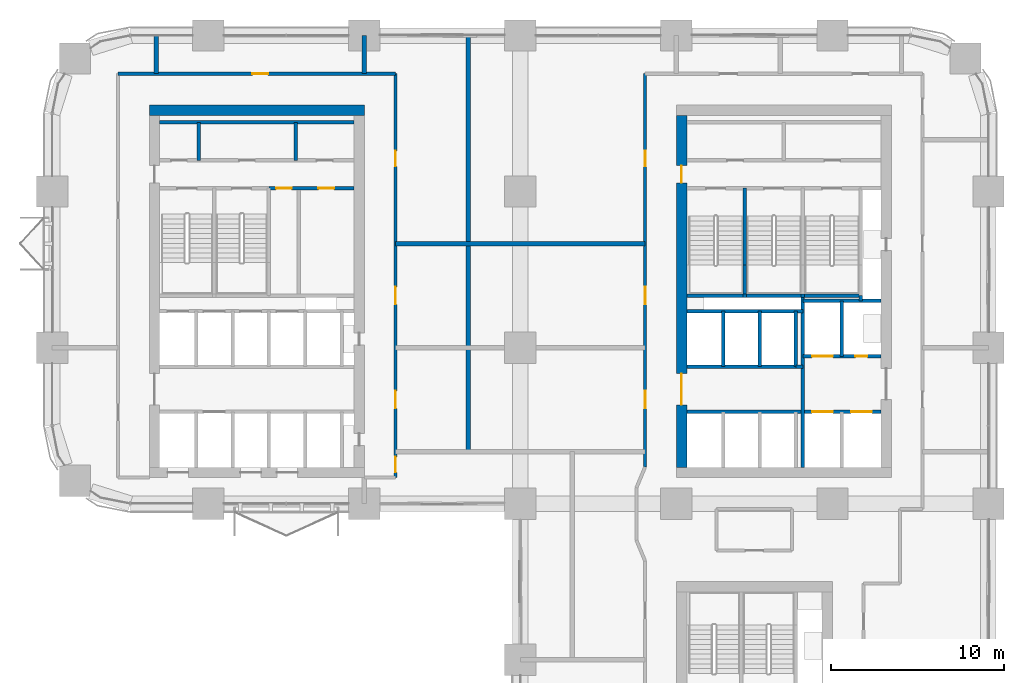
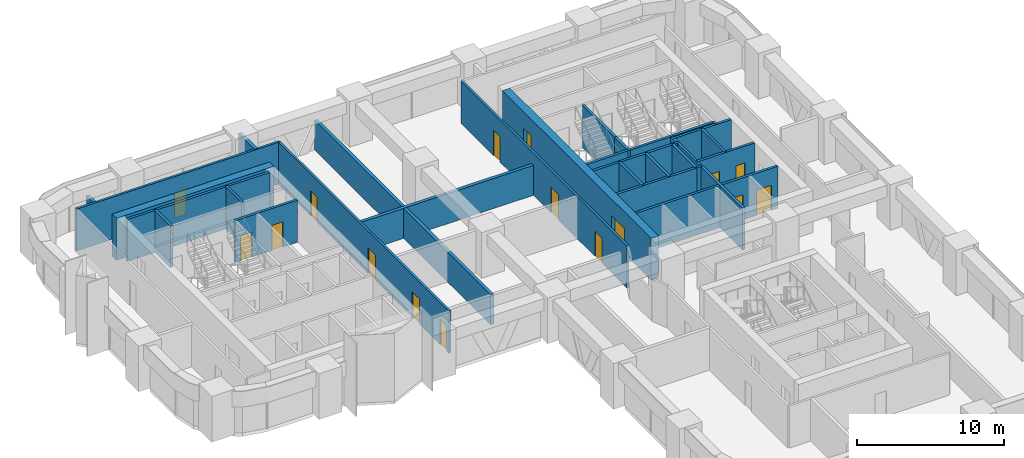
# One storey, part 14 of 18: 32 walls, 16 doors, 16 openings.
"""IFC4 building model written with IfcOpenShell, lengths in metres."""

from ifc_helpers import new_model, si_unit, direction, frame, frame_2d, origin, place, context, subcontext, project, spatial, rectangle, extrude, material, layer, layer_set, type_object, element, fill, save


model = new_model("IFC4")

# Units and contexts
model_context = context("Model", 3, precision=1e-05, world=origin(), true_north=direction((0.0, 1.0)))
body_context = subcontext(model_context, "Body", "Model", "MODEL_VIEW")
ifc_project = project(units=[si_unit("LENGTHUNIT", "METRE"), si_unit("AREAUNIT", "SQUARE_METRE"), si_unit("VOLUMEUNIT", "CUBIC_METRE"), si_unit("PLANEANGLEUNIT", "RADIAN"), si_unit("MASSUNIT", "GRAM", prefix="KILO")], contexts=[model_context])

# Site, building, storey
site_placement = place(None, origin())
site = spatial("IfcSite", under=ifc_project, at=site_placement, CompositionType="ELEMENT")
building_placement = place(site_placement, origin())
building = spatial("IfcBuilding", under=site, at=building_placement, Name="Tessera Arch", CompositionType="ELEMENT")
storey_placement = place(building_placement, frame((0.0, 0.0, 115.800048828125)))
storey = spatial("IfcBuildingStorey", under=building, at=storey_placement, Name="L27", CompositionType="ELEMENT", Elevation=115.800048828125)

# Walls
ifc_material_1 = material(Name="Gypsum board on steel stud", Category="steel")
ifc_layer_1 = layer(ifc_material_1, 0.125)
ifc_layer_set_1 = layer_set([ifc_layer_1], Name="Core partition 125 EI 60")
wall_type_1 = type_object("IfcWallType", Name="Core partition 125 EI 60", PredefinedType="PARTITIONING", material=ifc_layer_set_1)
wall_1_placement = place(storey_placement, frame((42.89990234375, 34.89990234375, 0.0), z_axis=(0.0, 0.0, 1.0), x_axis=(1.0, 0.0, 0.0)))
element("IfcWall", 1, at=wall_1_placement, inside=storey, type_object=wall_type_1, Name="L27 C1 partition wall 19", PredefinedType="PARTITIONING", context=body_context, shape_type="SweptSolid", body=[
    extrude(rectangle(XDim=0.400146484375, YDim=0.199951171875, at=frame_2d((0.2001953125, 0.0))), origin(), (0.0, 0.0, 1.0), 3.5),
])
for number, where, z_axis, x_axis, name in (
    (2, (8.43994140625, 46.800048828125, 0.0), (0.0, 0.0, 1.0), (0.0, 1.0, 0.0), "L27 C2 partition wall 3"),
    (3, (14.0400390625, 46.800048828125, 0.0), (0.0, 0.0, 1.0), (0.0, 1.0, 0.0), "L27 C2 partition wall 12"),
):
    element("IfcWall", number, at=place(storey_placement, frame(where, z_axis=z_axis, x_axis=x_axis)), inside=storey, type_object=wall_type_1, Name=name, PredefinedType="PARTITIONING", context=body_context, shape_type="SweptSolid", body=[
        extrude(rectangle(XDim=2.199951171875, YDim=0.199951171875, at=frame_2d((1.10009765625, 0.0))), origin(), (0.0, 0.0, 1.0), 3.5),
    ])

# Wall, openings, doors
wall_2_placement = place(storey_placement, frame((12.5, 45.199951171875, 0.0), z_axis=(0.0, 0.0, 1.0), x_axis=(1.0, 0.0, 0.0)))
wall_2 = element("IfcWall", 4, at=wall_2_placement, inside=storey, type_object=wall_type_1, Name="L27 C2 partition wall 25", PredefinedType="PARTITIONING", context=body_context, shape_type="SweptSolid", body=[
    extrude(rectangle(XDim=4.89990234375, YDim=0.199951171875, at=frame_2d((2.449951171875, 0.0))), origin(), (0.0, 0.0, 1.0), 3.5),
])
opening_1_placement = place(wall_2_placement, frame((0.407470703125, 0.0, 0.0)))
opening_1 = element("IfcOpeningElement", 5, at=opening_1_placement, cuts=wall_2, Name="Opening L27-C31", PredefinedType="OPENING", context=body_context, shape_type="SweptSolid", body=[
    extrude(rectangle(XDim=0.89990234375, YDim=2.10009765625, at=frame_2d((0.449951171875, 1.050048828125))), frame((0.0, 0.10986328125, 0.0), z_axis=(0.0, -1.0, 0.0), x_axis=(1.0, 0.0, 0.0)), (0.0, 0.0, 1.0), 0.219970703125),
])
opening_2_placement = place(wall_2_placement, frame((2.857421875, 0.0, 0.0)))
opening_2 = element("IfcOpeningElement", 6, at=opening_2_placement, cuts=wall_2, Name="Opening L27-C32", PredefinedType="OPENING", context=body_context, shape_type="SweptSolid", body=[
    extrude(rectangle(XDim=0.89990234375, YDim=2.10009765625, at=frame_2d((0.449951171875, 1.050048828125))), frame((0.0, 0.10986328125, 0.0), z_axis=(0.0, -1.0, 0.0), x_axis=(1.0, 0.0, 0.0)), (0.0, 0.0, 1.0), 0.219970703125),
])
ifc_material_2 = material(Name="Steel door leaf", Category="steel")
door_type_1 = type_object("IfcDoorType", Name="Store door FD30S 900 x 2100", OperationType="SINGLE_SWING_LEFT", PredefinedType="DOOR", material=ifc_material_2)
door_1_placement = place(opening_1_placement, origin())
door_1 = element("IfcDoor", 7, at=door_1_placement, inside=storey, type_object=door_type_1, Name="L27 C2 door 18 C31 type D09", OperationType="SINGLE_SWING_LEFT", OverallHeight=2.10009765625, OverallWidth=0.89990234375, PredefinedType="DOOR", context=body_context, shape_type="SweptSolid", body=[
    extrude(rectangle(XDim=0.89990234375, YDim=2.10009765625, at=frame_2d((0.449951171875, 1.050048828125))), frame((0.0, 0.02490234375, 0.0), z_axis=(0.0, -1.0, 0.0), x_axis=(1.0, 0.0, 0.0)), (0.0, 0.0, 1.0), 0.050048828125),
])
fill(opening_1, door_1)
door_2_placement = place(opening_2_placement, origin())
door_2 = element("IfcDoor", 8, at=door_2_placement, inside=storey, type_object=door_type_1, Name="L27 C2 door 19 C32 type D09", OperationType="SINGLE_SWING_RIGHT", OverallHeight=2.10009765625, OverallWidth=0.89990234375, PredefinedType="DOOR", context=body_context, shape_type="SweptSolid", body=[
    extrude(rectangle(XDim=0.89990234375, YDim=2.10009765625, at=frame_2d((0.449951171875, 1.050048828125))), frame((0.0, 0.02490234375, 0.0), z_axis=(0.0, -1.0, 0.0), x_axis=(1.0, 0.0, 0.0)), (0.0, 0.0, 1.0), 0.050048828125),
])
fill(opening_2, door_2)

# Wall
wall_3_placement = place(storey_placement, frame((6.199951171875, 49.0, 0.0), z_axis=(0.0, 0.0, 1.0), x_axis=(1.0, 0.0, 0.0)))
element("IfcWall", 9, at=wall_3_placement, inside=storey, type_object=wall_type_1, Name="L27 C2 partition wall 28", PredefinedType="PARTITIONING", context=body_context, shape_type="SweptSolid", body=[
    extrude(rectangle(XDim=11.199951171875, YDim=0.199951171875, at=frame_2d((5.60009765625, 0.0))), origin(), (0.0, 0.0, 1.0), 3.5),
])

# Wall, openings, doors
ifc_material_3 = material(Name="Concrete C70/85", Category="concrete")
ifc_layer_2 = layer(ifc_material_3, 0.60009765625)
ifc_layer_set_2 = layer_set([ifc_layer_2], Name="Core shell wall 600 C70-85")
wall_type_2 = type_object("IfcWallType", Name="Core shell wall 600 C70-85", PredefinedType="SHEAR", material=ifc_layer_set_2)
wall_4_placement = place(storey_placement, frame((36.300048828125, 29.10009765625, 0.0), z_axis=(0.0, 0.0, 1.0), x_axis=(0.0, 1.0, 0.0)))
wall_4 = element("IfcWall", 10, at=wall_4_placement, inside=storey, type_object=wall_type_2, Name="L27 C1 core wall W", PredefinedType="SHEAR", context=body_context, shape_type="SweptSolid", body=[
    extrude(rectangle(XDim=20.2998046875, YDim=0.60009765625, at=frame_2d((10.14990234375, 0.0))), origin(), (0.0, 0.0, 1.0), 3.5),
])
opening_3_placement = place(wall_4_placement, frame((3.60009765625, 0.0, 0.0)))
opening_3 = element("IfcOpeningElement", 11, at=opening_3_placement, cuts=wall_4, Name="Opening L27-C04", PredefinedType="OPENING", context=body_context, shape_type="SweptSolid", body=[
    extrude(rectangle(XDim=1.800048828125, YDim=2.10009765625, at=frame_2d((0.89990234375, 1.050048828125))), frame((0.0, 0.31005859375, 0.0), z_axis=(0.0, -1.0, 0.0), x_axis=(1.0, 0.0, 0.0)), (0.0, 0.0, 1.0), 0.6201171875),
])
opening_4_placement = place(wall_4_placement, frame((16.39990234375, 0.0, 0.0)))
opening_4 = element("IfcOpeningElement", 12, at=opening_4_placement, cuts=wall_4, Name="Opening L27-C11", PredefinedType="OPENING", context=body_context, shape_type="SweptSolid", body=[
    extrude(rectangle(XDim=1.0, YDim=2.10009765625, at=frame_2d((0.5, 1.050048828125))), frame((0.0, 0.31005859375, 0.0), z_axis=(0.0, -1.0, 0.0), x_axis=(1.0, 0.0, 0.0)), (0.0, 0.0, 1.0), 0.6201171875),
])
ifc_material_4 = material(Name="Steel door leaf", Category="steel")
door_type_2 = type_object("IfcDoorType", Name="Corridor door FD60 1000 x 2100", OperationType="SINGLE_SWING_LEFT", PredefinedType="DOOR", material=ifc_material_4)
door_3_placement = place(opening_4_placement, origin())
door_3 = element("IfcDoor", 13, at=door_3_placement, inside=storey, type_object=door_type_2, Name="L27 C1 door 11 C11 type D12", OperationType="SINGLE_SWING_RIGHT", OverallHeight=2.10009765625, OverallWidth=1.0, PredefinedType="DOOR", context=body_context, shape_type="SweptSolid", body=[
    extrude(rectangle(XDim=1.0, YDim=2.10009765625, at=frame_2d((0.5, 1.050048828125))), frame((0.0, 0.02490234375, 0.0), z_axis=(0.0, -1.0, 0.0), x_axis=(1.0, 0.0, 0.0)), (0.0, 0.0, 1.0), 0.050048828125),
])
fill(opening_4, door_3)
ifc_material_5 = material(Name="Glazed steel door leaf", Category="steel")
door_type_3 = type_object("IfcDoorType", Name="Lobby double door FD30S 1800 x 2100", OperationType="DOUBLE_DOOR_SINGLE_SWING", PredefinedType="DOOR", material=ifc_material_5)
door_4_placement = place(opening_3_placement, origin())
door_4 = element("IfcDoor", 14, at=door_4_placement, inside=storey, type_object=door_type_3, Name="L27 C1 door 4 C04 type D06", OperationType="DOUBLE_DOOR_SINGLE_SWING", OverallHeight=2.10009765625, OverallWidth=1.800048828125, PredefinedType="DOOR", context=body_context, shape_type="SweptSolid", body=[
    extrude(rectangle(XDim=1.800048828125, YDim=2.10009765625, at=frame_2d((0.89990234375, 1.050048828125))), frame((0.0, 0.02490234375, 0.0), z_axis=(0.0, -1.0, 0.0), x_axis=(1.0, 0.0, 0.0)), (0.0, 0.0, 1.0), 0.050048828125),
])
fill(opening_3, door_4)

# Wall
wall_5_placement = place(storey_placement, frame((5.60009765625, 49.699951171875, 0.0), z_axis=(0.0, 0.0, 1.0), x_axis=(1.0, 0.0, 0.0)))
element("IfcWall", 15, at=wall_5_placement, inside=storey, type_object=wall_type_2, Name="L27 C2 core wall N", PredefinedType="SHEAR", context=body_context, shape_type="SweptSolid", body=[
    extrude(rectangle(XDim=12.39990234375, YDim=0.60009765625, at=frame_2d((6.199951171875, 0.0))), origin(), (0.0, 0.0, 1.0), 3.5),
])

# Wall, opening, door
ifc_material_6 = material(Name="Gypsum board on deep steel stud with mineral wool", Category="steel")
ifc_layer_3 = layer(ifc_material_6, 0.175048828125)
ifc_layer_set_3 = layer_set([ifc_layer_3], Name="Corridor wall 175 EI 60")
wall_type_3 = type_object("IfcWallType", Name="Corridor wall 175 EI 60", PredefinedType="PARTITIONING", material=ifc_layer_set_3)
wall_6_placement = place(storey_placement, frame((3.800048828125, 51.800048828125, 0.0), z_axis=(0.0, 0.0, 1.0), x_axis=(1.0, 0.0, 0.0)))
wall_6 = element("IfcWall", 16, at=wall_6_placement, inside=storey, type_object=wall_type_3, Name="L27 partition 8", PredefinedType="PARTITIONING", context=body_context, shape_type="SweptSolid", body=[
    extrude(rectangle(XDim=16.0, YDim=0.175048828125, at=frame_2d((8.0, 0.0))), origin(), (0.0, 0.0, 1.0), 3.5),
])
opening_5_placement = place(wall_6_placement, frame((7.75, 0.0, 0.0)))
opening_5 = element("IfcOpeningElement", 17, at=opening_5_placement, cuts=wall_6, Name="Opening L27-D019", PredefinedType="OPENING", context=body_context, shape_type="SweptSolid", body=[
    extrude(rectangle(XDim=0.89990234375, YDim=2.10009765625, at=frame_2d((0.449951171875, 1.050048828125))), frame((0.0, 0.097412109375, 0.0), z_axis=(0.0, -1.0, 0.0), x_axis=(1.0, 0.0, 0.0)), (0.0, 0.0, 1.0), 0.195068359375),
])
ifc_material_7 = material(Name="Timber door leaf", Category="wood")
door_type_4 = type_object("IfcDoorType", Name="Room door 900 x 2100", OperationType="SINGLE_SWING_LEFT", PredefinedType="DOOR", material=ifc_material_7)
door_5_placement = place(opening_5_placement, origin())
door_5 = element("IfcDoor", 18, at=door_5_placement, inside=storey, type_object=door_type_4, Name="L27 door D019 type D01", OperationType="SINGLE_SWING_LEFT", OverallHeight=2.10009765625, OverallWidth=0.89990234375, PredefinedType="DOOR", context=body_context, shape_type="SweptSolid", body=[
    extrude(rectangle(XDim=0.89990234375, YDim=2.10009765625, at=frame_2d((0.449951171875, 1.050048828125))), frame((0.0, 0.02490234375, 0.0), z_axis=(0.0, -1.0, 0.0), x_axis=(1.0, 0.0, 0.0)), (0.0, 0.0, 1.0), 0.050048828125),
])
fill(opening_5, door_5)

# Wall, openings, doors
wall_7_placement = place(storey_placement, frame((19.800048828125, 28.5, 0.0), z_axis=(0.0, 0.0, 1.0), x_axis=(0.0, 1.0, 0.0)))
wall_7 = element("IfcWall", 19, at=wall_7_placement, inside=storey, type_object=wall_type_3, Name="L27 partition 11", PredefinedType="PARTITIONING", context=body_context, shape_type="SweptSolid", body=[
    extrude(rectangle(XDim=23.300048828125, YDim=0.175048828125, at=frame_2d((11.64990234375, 0.0))), origin(), (0.0, 0.0, 1.0), 3.5),
])
opening_6_placement = place(wall_7_placement, frame((0.300048828125, 0.0, 0.0)))
opening_6 = element("IfcOpeningElement", 20, at=opening_6_placement, cuts=wall_7, Name="Opening L27-D007", PredefinedType="OPENING", context=body_context, shape_type="SweptSolid", body=[
    extrude(rectangle(XDim=0.89990234375, YDim=2.10009765625, at=frame_2d((0.449951171875, 1.050048828125))), frame((0.0, 0.097412109375, 0.0), z_axis=(0.0, -1.0, 0.0), x_axis=(1.0, 0.0, 0.0)), (0.0, 0.0, 1.0), 0.195068359375),
])
opening_7_placement = place(wall_7_placement, frame((4.0, 0.0, 0.0)))
opening_7 = element("IfcOpeningElement", 21, at=opening_7_placement, cuts=wall_7, Name="Opening L27-D009", PredefinedType="OPENING", context=body_context, shape_type="SweptSolid", body=[
    extrude(rectangle(XDim=1.0, YDim=2.10009765625, at=frame_2d((0.5, 1.050048828125))), frame((0.0, 0.097412109375, 0.0), z_axis=(0.0, -1.0, 0.0), x_axis=(1.0, 0.0, 0.0)), (0.0, 0.0, 1.0), 0.195068359375),
])
opening_8_placement = place(wall_7_placement, frame((10.0, 0.0, 0.0)))
opening_8 = element("IfcOpeningElement", 22, at=opening_8_placement, cuts=wall_7, Name="Opening L27-D012", PredefinedType="OPENING", context=body_context, shape_type="SweptSolid", body=[
    extrude(rectangle(XDim=1.0, YDim=2.10009765625, at=frame_2d((0.5, 1.050048828125))), frame((0.0, 0.097412109375, 0.0), z_axis=(0.0, -1.0, 0.0), x_axis=(1.0, 0.0, 0.0)), (0.0, 0.0, 1.0), 0.195068359375),
])
opening_9_placement = place(wall_7_placement, frame((17.949951171875, 0.0, 0.0)))
opening_9 = element("IfcOpeningElement", 23, at=opening_9_placement, cuts=wall_7, Name="Opening L27-D017", PredefinedType="OPENING", context=body_context, shape_type="SweptSolid", body=[
    extrude(rectangle(XDim=0.89990234375, YDim=2.10009765625, at=frame_2d((0.449951171875, 1.050048828125))), frame((0.0, 0.097412109375, 0.0), z_axis=(0.0, -1.0, 0.0), x_axis=(1.0, 0.0, 0.0)), (0.0, 0.0, 1.0), 0.195068359375),
])
ifc_material_8 = material(Name="Fire-rated door leaf")
door_type_5 = type_object("IfcDoorType", Name="Entrance door FD30S 1000 x 2100", OperationType="SINGLE_SWING_LEFT", PredefinedType="DOOR", material=ifc_material_8)
door_6_placement = place(opening_7_placement, origin())
door_6 = element("IfcDoor", 24, at=door_6_placement, inside=storey, type_object=door_type_5, Name="L27 door D009 type D03", OperationType="SINGLE_SWING_RIGHT", OverallHeight=2.10009765625, OverallWidth=1.0, PredefinedType="DOOR", context=body_context, shape_type="SweptSolid", body=[
    extrude(rectangle(XDim=1.0, YDim=2.10009765625, at=frame_2d((0.5, 1.050048828125))), frame((0.0, 0.02490234375, 0.0), z_axis=(0.0, -1.0, 0.0), x_axis=(1.0, 0.0, 0.0)), (0.0, 0.0, 1.0), 0.050048828125),
])
fill(opening_7, door_6)
door_7_placement = place(opening_8_placement, origin())
door_7 = element("IfcDoor", 25, at=door_7_placement, inside=storey, type_object=door_type_5, Name="L27 door D012 type D03", OperationType="SINGLE_SWING_LEFT", OverallHeight=2.10009765625, OverallWidth=1.0, PredefinedType="DOOR", context=body_context, shape_type="SweptSolid", body=[
    extrude(rectangle(XDim=1.0, YDim=2.10009765625, at=frame_2d((0.5, 1.050048828125))), frame((0.0, 0.02490234375, 0.0), z_axis=(0.0, -1.0, 0.0), x_axis=(1.0, 0.0, 0.0)), (0.0, 0.0, 1.0), 0.050048828125),
])
fill(opening_8, door_7)
door_8_placement = place(opening_6_placement, origin())
door_8 = element("IfcDoor", 26, at=door_8_placement, inside=storey, type_object=door_type_4, Name="L27 door D007 type D01", OperationType="SINGLE_SWING_RIGHT", OverallHeight=2.10009765625, OverallWidth=0.89990234375, PredefinedType="DOOR", context=body_context, shape_type="SweptSolid", body=[
    extrude(rectangle(XDim=0.89990234375, YDim=2.10009765625, at=frame_2d((0.449951171875, 1.050048828125))), frame((0.0, 0.02490234375, 0.0), z_axis=(0.0, -1.0, 0.0), x_axis=(1.0, 0.0, 0.0)), (0.0, 0.0, 1.0), 0.050048828125),
])
fill(opening_6, door_8)
door_9_placement = place(opening_9_placement, origin())
door_9 = element("IfcDoor", 27, at=door_9_placement, inside=storey, type_object=door_type_4, Name="L27 door D017 type D01", OperationType="SINGLE_SWING_RIGHT", OverallHeight=2.10009765625, OverallWidth=0.89990234375, PredefinedType="DOOR", context=body_context, shape_type="SweptSolid", body=[
    extrude(rectangle(XDim=0.89990234375, YDim=2.10009765625, at=frame_2d((0.449951171875, 1.050048828125))), frame((0.0, 0.02490234375, 0.0), z_axis=(0.0, -1.0, 0.0), x_axis=(1.0, 0.0, 0.0)), (0.0, 0.0, 1.0), 0.050048828125),
])
fill(opening_9, door_9)

wall_8_placement = place(storey_placement, frame((34.199951171875, 29.1201171875, 0.0), z_axis=(0.0, 0.0, 1.0), x_axis=(0.0, 1.0, 0.0)))
wall_8 = element("IfcWall", 28, at=wall_8_placement, inside=storey, type_object=wall_type_3, Name="L27 partition 14", PredefinedType="PARTITIONING", context=body_context, shape_type="SweptSolid", body=[
    extrude(rectangle(XDim=22.679931640625, YDim=0.175048828125, at=frame_2d((11.33984375, 0.0))), origin(), (0.0, 0.0, 1.0), 3.5),
])
opening_10_placement = place(wall_8_placement, frame((3.3798828125, 0.0, 0.0)))
opening_10 = element("IfcOpeningElement", 29, at=opening_10_placement, cuts=wall_8, Name="Opening L27-D010", PredefinedType="OPENING", context=body_context, shape_type="SweptSolid", body=[
    extrude(rectangle(XDim=1.0, YDim=2.10009765625, at=frame_2d((0.5, 1.050048828125))), frame((0.0, 0.097412109375, 0.0), z_axis=(0.0, -1.0, 0.0), x_axis=(1.0, 0.0, 0.0)), (0.0, 0.0, 1.0), 0.195068359375),
])
opening_11_placement = place(wall_8_placement, frame((9.3798828125, 0.0, 0.0)))
opening_11 = element("IfcOpeningElement", 30, at=opening_11_placement, cuts=wall_8, Name="Opening L27-D013", PredefinedType="OPENING", context=body_context, shape_type="SweptSolid", body=[
    extrude(rectangle(XDim=1.0, YDim=2.10009765625, at=frame_2d((0.5, 1.050048828125))), frame((0.0, 0.097412109375, 0.0), z_axis=(0.0, -1.0, 0.0), x_axis=(1.0, 0.0, 0.0)), (0.0, 0.0, 1.0), 0.195068359375),
])
opening_12_placement = place(wall_8_placement, frame((17.330078125, 0.0, 0.0)))
opening_12 = element("IfcOpeningElement", 31, at=opening_12_placement, cuts=wall_8, Name="Opening L27-D016", PredefinedType="OPENING", context=body_context, shape_type="SweptSolid", body=[
    extrude(rectangle(XDim=0.89990234375, YDim=2.10009765625, at=frame_2d((0.449951171875, 1.050048828125))), frame((0.0, 0.097412109375, 0.0), z_axis=(0.0, -1.0, 0.0), x_axis=(1.0, 0.0, 0.0)), (0.0, 0.0, 1.0), 0.195068359375),
])
door_10_placement = place(opening_10_placement, origin())
door_10 = element("IfcDoor", 32, at=door_10_placement, inside=storey, type_object=door_type_5, Name="L27 door D010 type D03", OperationType="SINGLE_SWING_RIGHT", OverallHeight=2.10009765625, OverallWidth=1.0, PredefinedType="DOOR", context=body_context, shape_type="SweptSolid", body=[
    extrude(rectangle(XDim=1.0, YDim=2.10009765625, at=frame_2d((0.5, 1.050048828125))), frame((0.0, 0.02490234375, 0.0), z_axis=(0.0, -1.0, 0.0), x_axis=(1.0, 0.0, 0.0)), (0.0, 0.0, 1.0), 0.050048828125),
])
fill(opening_10, door_10)
door_11_placement = place(opening_11_placement, origin())
door_11 = element("IfcDoor", 33, at=door_11_placement, inside=storey, type_object=door_type_5, Name="L27 door D013 type D03", OperationType="SINGLE_SWING_LEFT", OverallHeight=2.10009765625, OverallWidth=1.0, PredefinedType="DOOR", context=body_context, shape_type="SweptSolid", body=[
    extrude(rectangle(XDim=1.0, YDim=2.10009765625, at=frame_2d((0.5, 1.050048828125))), frame((0.0, 0.02490234375, 0.0), z_axis=(0.0, -1.0, 0.0), x_axis=(1.0, 0.0, 0.0)), (0.0, 0.0, 1.0), 0.050048828125),
])
fill(opening_11, door_11)
door_12_placement = place(opening_12_placement, origin())
door_12 = element("IfcDoor", 34, at=door_12_placement, inside=storey, type_object=door_type_4, Name="L27 door D016 type D01", OperationType="SINGLE_SWING_RIGHT", OverallHeight=2.10009765625, OverallWidth=0.89990234375, PredefinedType="DOOR", context=body_context, shape_type="SweptSolid", body=[
    extrude(rectangle(XDim=0.89990234375, YDim=2.10009765625, at=frame_2d((0.449951171875, 1.050048828125))), frame((0.0, 0.02490234375, 0.0), z_axis=(0.0, -1.0, 0.0), x_axis=(1.0, 0.0, 0.0)), (0.0, 0.0, 1.0), 0.050048828125),
])
fill(opening_12, door_12)

# Walls
ifc_material_9 = material(Name="Double gypsum board on twin steel stud with acoustic mineral wool", Category="steel")
ifc_layer_4 = layer(ifc_material_9, 0.25)
ifc_layer_set_4 = layer_set([ifc_layer_4], Name="Party wall 250 EI 60")
wall_type_4 = type_object("IfcWallType", Name="Party wall 250 EI 60", PredefinedType="PARTITIONING", material=ifc_layer_set_4)
wall_9_placement = place(storey_placement, frame((19.800048828125, 42.0, 0.0), z_axis=(0.0, 0.0, 1.0), x_axis=(1.0, 0.0, 0.0)))
element("IfcWall", 35, at=wall_9_placement, inside=storey, type_object=wall_type_4, Name="L27 partition 28", PredefinedType="PARTITIONING", context=body_context, shape_type="SweptSolid", body=[
    extrude(rectangle(XDim=14.39990234375, YDim=0.25, at=frame_2d((7.199951171875, 0.0))), origin(), (0.0, 0.0, 1.0), 2.5),
])
wall_10_placement = place(storey_placement, frame((6.0, 51.800048828125, 0.0), z_axis=(0.0, 0.0, 1.0), x_axis=(0.0, 1.0, 0.0)))
element("IfcWall", 36, at=wall_10_placement, inside=storey, type_object=wall_type_4, Name="L27 partition 30", PredefinedType="PARTITIONING", context=body_context, shape_type="SweptSolid", body=[
    extrude(rectangle(XDim=2.199951171875, YDim=0.25, at=frame_2d((1.10009765625, 0.0))), origin(), (0.0, 0.0, 1.0), 2.5),
])
wall_11_placement = place(storey_placement, frame((18.0, 51.800048828125, 0.0), z_axis=(0.0, 0.0, 1.0), x_axis=(0.0, 1.0, 0.0)))
element("IfcWall", 37, at=wall_11_placement, inside=storey, type_object=wall_type_4, Name="L27 partition 32", PredefinedType="PARTITIONING", context=body_context, shape_type="SweptSolid", body=[
    extrude(rectangle(XDim=2.199951171875, YDim=0.25, at=frame_2d((1.10009765625, 0.0))), origin(), (0.0, 0.0, 1.0), 3.5),
])
wall_12_placement = place(storey_placement, frame((24.0, 30.0, 0.0), z_axis=(0.0, 0.0, 1.0), x_axis=(0.0, 1.0, 0.0)))
element("IfcWall", 38, at=wall_12_placement, inside=storey, type_object=wall_type_4, Name="L27 partition 33", PredefinedType="PARTITIONING", context=body_context, shape_type="SweptSolid", body=[
    extrude(rectangle(XDim=24.0, YDim=0.25, at=frame_2d((12.0, 0.0))), origin(), (0.0, 0.0, 1.0), 2.5),
])
ifc_material_10 = material(Name="Concrete C40/50", Category="concrete")
ifc_layer_5 = layer(ifc_material_10, 0.199951171875)
ifc_layer_set_5 = layer_set([ifc_layer_5], Name="Shaft wall 200 EI 120")
wall_type_5 = type_object("IfcWallType", Name="Shaft wall 200 EI 120", PredefinedType="SOLIDWALL", material=ifc_layer_set_5)
for number, where, z_axis, x_axis, name in (
    (39, (38.699951171875, 34.89990234375, 0.0), (0.0, 0.0, 1.0), (0.0, 1.0, 0.0), "L27 C1 shaft wall 2"),
    (40, (40.800048828125, 34.89990234375, 0.0), (0.0, 0.0, 1.0), (0.0, 1.0, 0.0), "L27 C1 shaft wall 6"),
    (41, (42.89990234375, 34.89990234375, 0.0), (0.0, 0.0, 1.0), (0.0, 1.0, 0.0), "L27 C1 shaft wall 9"),
):
    element("IfcWall", number, at=place(storey_placement, frame(where, z_axis=z_axis, x_axis=x_axis)), inside=storey, type_object=wall_type_5, Name=name, PredefinedType="SOLIDWALL", context=body_context, shape_type="SweptSolid", body=[
        extrude(rectangle(XDim=3.2001953125, YDim=0.199951171875, at=frame_2d((1.60009765625, 0.0))), origin(), (0.0, 0.0, 1.0), 3.5),
    ])
wall_13_placement = place(storey_placement, frame((43.300048828125, 29.10009765625, 0.0), z_axis=(0.0, 0.0, 1.0), x_axis=(0.0, 1.0, 0.0)))
element("IfcWall", 42, at=wall_13_placement, inside=storey, type_object=wall_type_5, Name="L27 C1 shaft wall 10", PredefinedType="SOLIDWALL", context=body_context, shape_type="SweptSolid", body=[
    extrude(rectangle(XDim=9.89990234375, YDim=0.199951171875, at=frame_2d((4.949951171875, 0.0))), origin(), (0.0, 0.0, 1.0), 3.5),
])
wall_14_placement = place(storey_placement, frame((45.550048828125, 35.5, 0.0), z_axis=(0.0, 0.0, 1.0), x_axis=(0.0, 1.0, 0.0)))
element("IfcWall", 43, at=wall_14_placement, inside=storey, type_object=wall_type_5, Name="L27 C1 shaft wall 14", PredefinedType="SOLIDWALL", context=body_context, shape_type="SweptSolid", body=[
    extrude(rectangle(XDim=3.199951171875, YDim=0.199951171875, at=frame_2d((1.60009765625, 0.0))), origin(), (0.0, 0.0, 1.0), 3.5),
])
wall_15_placement = place(storey_placement, frame((46.64990234375, 38.699951171875, 0.0), z_axis=(0.0, 0.0, 1.0), x_axis=(0.0, 1.0, 0.0)))
element("IfcWall", 44, at=wall_15_placement, inside=storey, type_object=wall_type_5, Name="L27 C1 shaft wall 15", PredefinedType="SOLIDWALL", context=body_context, shape_type="SweptSolid", body=[
    extrude(rectangle(XDim=0.300048828125, YDim=0.199951171875, at=frame_2d((0.14990234375, 0.0))), origin(), (0.0, 0.0, 1.0), 3.5),
])

# Wall, openings, doors
wall_16_placement = place(storey_placement, frame((36.60009765625, 32.300048828125, 0.0), z_axis=(0.0, 0.0, 1.0), x_axis=(1.0, 0.0, 0.0)))
wall_16 = element("IfcWall", 45, at=wall_16_placement, inside=storey, type_object=wall_type_5, Name="L27 C1 shaft wall 18", PredefinedType="SOLIDWALL", context=body_context, shape_type="SweptSolid", body=[
    extrude(rectangle(XDim=11.199951171875, YDim=0.199951171875, at=frame_2d((5.60009765625, 0.0))), origin(), (0.0, 0.0, 1.0), 3.5),
])
opening_13_placement = place(wall_16_placement, frame((7.22509765625, 0.0, 0.0)))
opening_13 = element("IfcOpeningElement", 46, at=opening_13_placement, cuts=wall_16, Name="Opening L27-C01", PredefinedType="OPENING", context=body_context, shape_type="SweptSolid", body=[
    extrude(rectangle(XDim=1.199951171875, YDim=2.10009765625, at=frame_2d((0.60009765625, 1.050048828125))), frame((0.0, 0.10986328125, 0.0), z_axis=(0.0, -1.0, 0.0), x_axis=(1.0, 0.0, 0.0)), (0.0, 0.0, 1.0), 0.219970703125),
])
opening_14_placement = place(wall_16_placement, frame((9.47509765625, 0.0, 0.0)))
opening_14 = element("IfcOpeningElement", 47, at=opening_14_placement, cuts=wall_16, Name="Opening L27-C02", PredefinedType="OPENING", context=body_context, shape_type="SweptSolid", body=[
    extrude(rectangle(XDim=1.199951171875, YDim=2.10009765625, at=frame_2d((0.60009765625, 1.050048828125))), frame((0.0, 0.10986328125, 0.0), z_axis=(0.0, -1.0, 0.0), x_axis=(1.0, 0.0, 0.0)), (0.0, 0.0, 1.0), 0.219970703125),
])
ifc_material_11 = material(Name="Stainless steel AISI 304", Category="steel")
door_type_6 = type_object("IfcDoorType", Name="Sliding landing door 1200 x 2100", OperationType="SLIDING_TO_LEFT", PredefinedType="DOOR", material=ifc_material_11)
door_13_placement = place(opening_13_placement, origin())
door_13 = element("IfcDoor", 48, at=door_13_placement, inside=storey, type_object=door_type_6, Name="L27 FF1 lift landing door C01 type LD", OperationType="SLIDING_TO_LEFT", OverallHeight=2.10009765625, OverallWidth=1.199951171875, PredefinedType="DOOR", context=body_context, shape_type="SweptSolid", body=[
    extrude(rectangle(XDim=1.199951171875, YDim=2.10009765625, at=frame_2d((0.60009765625, 1.050048828125))), frame((0.0, 0.02490234375, 0.0), z_axis=(0.0, -1.0, 0.0), x_axis=(1.0, 0.0, 0.0)), (0.0, 0.0, 1.0), 0.050048828125),
])
fill(opening_13, door_13)
door_14_placement = place(opening_14_placement, origin())
door_14 = element("IfcDoor", 49, at=door_14_placement, inside=storey, type_object=door_type_6, Name="L27 FF2 lift landing door C02 type LD", OperationType="SLIDING_TO_LEFT", OverallHeight=2.10009765625, OverallWidth=1.199951171875, PredefinedType="DOOR", context=body_context, shape_type="SweptSolid", body=[
    extrude(rectangle(XDim=1.199951171875, YDim=2.10009765625, at=frame_2d((0.60009765625, 1.050048828125))), frame((0.0, 0.02490234375, 0.0), z_axis=(0.0, -1.0, 0.0), x_axis=(1.0, 0.0, 0.0)), (0.0, 0.0, 1.0), 0.050048828125),
])
fill(opening_14, door_14)

# Wall
wall_17_placement = place(storey_placement, frame((36.60009765625, 34.89990234375, 0.0), z_axis=(0.0, 0.0, 1.0), x_axis=(1.0, 0.0, 0.0)))
element("IfcWall", 50, at=wall_17_placement, inside=storey, type_object=wall_type_5, Name="L27 C1 shaft wall 20", PredefinedType="SOLIDWALL", context=body_context, shape_type="SweptSolid", body=[
    extrude(rectangle(XDim=6.2998046875, YDim=0.199951171875, at=frame_2d((3.14990234375, 0.0))), origin(), (0.0, 0.0, 1.0), 3.5),
])

# Wall, openings, doors
wall_18_placement = place(storey_placement, frame((43.300048828125, 35.5, 0.0), z_axis=(0.0, 0.0, 1.0), x_axis=(1.0, 0.0, 0.0)))
wall_18 = element("IfcWall", 51, at=wall_18_placement, inside=storey, type_object=wall_type_5, Name="L27 C1 shaft wall 21", PredefinedType="SOLIDWALL", context=body_context, shape_type="SweptSolid", body=[
    extrude(rectangle(XDim=4.5, YDim=0.199951171875, at=frame_2d((2.25, 0.0))), origin(), (0.0, 0.0, 1.0), 3.5),
])
opening_15_placement = place(wall_18_placement, frame((0.52490234375, 0.0, 0.0)))
opening_15 = element("IfcOpeningElement", 52, at=opening_15_placement, cuts=wall_18, Name="Opening L27-C03", PredefinedType="OPENING", context=body_context, shape_type="SweptSolid", body=[
    extrude(rectangle(XDim=1.199951171875, YDim=2.10009765625, at=frame_2d((0.60009765625, 1.050048828125))), frame((0.0, 0.10986328125, 0.0), z_axis=(0.0, -1.0, 0.0), x_axis=(1.0, 0.0, 0.0)), (0.0, 0.0, 1.0), 0.219970703125),
])
opening_16_placement = place(wall_18_placement, frame((3.02490234375, 0.0, 0.0)))
opening_16 = element("IfcOpeningElement", 53, at=opening_16_placement, cuts=wall_18, Name="Opening L27-C10", PredefinedType="OPENING", context=body_context, shape_type="SweptSolid", body=[
    extrude(rectangle(XDim=0.699951171875, YDim=2.10009765625, at=frame_2d((0.35009765625, 1.050048828125))), frame((0.0, 0.10986328125, 0.0), z_axis=(0.0, -1.0, 0.0), x_axis=(1.0, 0.0, 0.0)), (0.0, 0.0, 1.0), 0.219970703125),
])
ifc_material_12 = material(Name="Steel door leaf", Category="steel")
door_type_7 = type_object("IfcDoorType", Name="Service shaft door FD60 700 x 2100", OperationType="SINGLE_SWING_LEFT", PredefinedType="DOOR", material=ifc_material_12)
door_15_placement = place(opening_16_placement, origin())
door_15 = element("IfcDoor", 54, at=door_15_placement, inside=storey, type_object=door_type_7, Name="L27 C1 door 10 C10 type D07", OperationType="SINGLE_SWING_RIGHT", OverallHeight=2.10009765625, OverallWidth=0.699951171875, PredefinedType="DOOR", context=body_context, shape_type="SweptSolid", body=[
    extrude(rectangle(XDim=0.699951171875, YDim=2.10009765625, at=frame_2d((0.35009765625, 1.050048828125))), frame((0.0, 0.02490234375, 0.0), z_axis=(0.0, -1.0, 0.0), x_axis=(1.0, 0.0, 0.0)), (0.0, 0.0, 1.0), 0.050048828125),
])
fill(opening_16, door_15)
door_16_placement = place(opening_15_placement, origin())
door_16 = element("IfcDoor", 55, at=door_16_placement, inside=storey, type_object=door_type_6, Name="L27 SV2 lift landing door C03 type LD", OperationType="SLIDING_TO_LEFT", OverallHeight=2.10009765625, OverallWidth=1.199951171875, PredefinedType="DOOR", context=body_context, shape_type="SweptSolid", body=[
    extrude(rectangle(XDim=1.199951171875, YDim=2.10009765625, at=frame_2d((0.60009765625, 1.050048828125))), frame((0.0, 0.02490234375, 0.0), z_axis=(0.0, -1.0, 0.0), x_axis=(1.0, 0.0, 0.0)), (0.0, 0.0, 1.0), 0.050048828125),
])
fill(opening_15, door_16)

# Walls
wall_19_placement = place(storey_placement, frame((36.60009765625, 38.10009765625, 0.0), z_axis=(0.0, 0.0, 1.0), x_axis=(1.0, 0.0, 0.0)))
element("IfcWall", 56, at=wall_19_placement, inside=storey, type_object=wall_type_5, Name="L27 C1 shaft wall 22", PredefinedType="SOLIDWALL", context=body_context, shape_type="SweptSolid", body=[
    extrude(rectangle(XDim=6.699951171875, YDim=0.199951171875, at=frame_2d((3.35009765625, 0.0))), origin(), (0.0, 0.0, 1.0), 3.5),
])
wall_20_placement = place(storey_placement, frame((43.300048828125, 38.699951171875, 0.0), z_axis=(0.0, 0.0, 1.0), x_axis=(1.0, 0.0, 0.0)))
element("IfcWall", 57, at=wall_20_placement, inside=storey, type_object=wall_type_5, Name="L27 C1 shaft wall 23", PredefinedType="SOLIDWALL", context=body_context, shape_type="SweptSolid", body=[
    extrude(rectangle(XDim=4.5, YDim=0.199951171875, at=frame_2d((2.25, 0.0))), origin(), (0.0, 0.0, 1.0), 3.5),
])
ifc_material_13 = material(Name="Concrete C40/50", Category="concrete")
ifc_layer_6 = layer(ifc_material_13, 0.199951171875)
ifc_layer_set_6 = layer_set([ifc_layer_6], Name="Stair well wall 200 REI 180")
wall_type_6 = type_object("IfcWallType", Name="Stair well wall 200 REI 180", PredefinedType="SOLIDWALL", material=ifc_layer_set_6)
wall_21_placement = place(storey_placement, frame((39.949951171875, 39.0, 0.0), z_axis=(0.0, 0.0, 1.0), x_axis=(0.0, 1.0, 0.0)))
element("IfcWall", 58, at=wall_21_placement, inside=storey, type_object=wall_type_6, Name="L27 C1 shaft wall 3", PredefinedType="SOLIDWALL", context=body_context, shape_type="SweptSolid", body=[
    extrude(rectangle(XDim=1.780029296875, YDim=0.199951171875, at=frame_2d((0.89013671875, 0.0))), origin(), (0.0, 0.0, 1.0), 3.5),
])
wall_22_placement = place(storey_placement, frame((39.949951171875, 40.780029296875, 0.0), z_axis=(0.0, 0.0, 1.0), x_axis=(0.0, 1.0, 0.0)))
element("IfcWall", 59, at=wall_22_placement, inside=storey, type_object=wall_type_6, Name="L27 C1 shaft wall 4", PredefinedType="SOLIDWALL", context=body_context, shape_type="SweptSolid", body=[
    extrude(rectangle(XDim=4.419921875, YDim=0.199951171875, at=frame_2d((2.2099609375, 0.0))), origin(), (0.0, 0.0, 1.0), 3.5),
])
wall_23_placement = place(storey_placement, frame((36.60009765625, 39.0, 0.0), z_axis=(0.0, 0.0, 1.0), x_axis=(1.0, 0.0, 0.0)))
element("IfcWall", 60, at=wall_23_placement, inside=storey, type_object=wall_type_6, Name="L27 C1 shaft wall 24", PredefinedType="SOLIDWALL", context=body_context, shape_type="SweptSolid", body=[
    extrude(rectangle(XDim=3.25, YDim=0.199951171875, at=frame_2d((1.625, 0.0))), origin(), (0.0, 0.0, 1.0), 3.5),
])
wall_24_placement = place(storey_placement, frame((39.85009765625, 39.0, 0.0), z_axis=(0.0, 0.0, 1.0), x_axis=(1.0, 0.0, 0.0)))
element("IfcWall", 61, at=wall_24_placement, inside=storey, type_object=wall_type_6, Name="L27 C1 shaft wall 25", PredefinedType="SOLIDWALL", context=body_context, shape_type="SweptSolid", body=[
    extrude(rectangle(XDim=0.199951171875, YDim=0.199951171875, at=frame_2d((0.10009765625, 0.0))), origin(), (0.0, 0.0, 1.0), 3.5),
])
wall_25_placement = place(storey_placement, frame((40.050048828125, 39.0, 0.0), z_axis=(0.0, 0.0, 1.0), x_axis=(1.0, 0.0, 0.0)))
element("IfcWall", 62, at=wall_25_placement, inside=storey, type_object=wall_type_6, Name="L27 C1 shaft wall 26", PredefinedType="SOLIDWALL", context=body_context, shape_type="SweptSolid", body=[
    extrude(rectangle(XDim=3.14990234375, YDim=0.199951171875, at=frame_2d((1.574951171875, 0.0))), origin(), (0.0, 0.0, 1.0), 3.5),
])
wall_26_placement = place(storey_placement, frame((43.199951171875, 39.0, 0.0), z_axis=(0.0, 0.0, 1.0), x_axis=(1.0, 0.0, 0.0)))
element("IfcWall", 63, at=wall_26_placement, inside=storey, type_object=wall_type_6, Name="L27 C1 shaft wall 27", PredefinedType="SOLIDWALL", context=body_context, shape_type="SweptSolid", body=[
    extrude(rectangle(XDim=0.199951171875, YDim=0.199951171875, at=frame_2d((0.10009765625, 0.0))), origin(), (0.0, 0.0, 1.0), 3.5),
])
wall_27_placement = place(storey_placement, frame((43.39990234375, 39.0, 0.0), z_axis=(0.0, 0.0, 1.0), x_axis=(1.0, 0.0, 0.0)))
element("IfcWall", 64, at=wall_27_placement, inside=storey, type_object=wall_type_6, Name="L27 C1 shaft wall 28", PredefinedType="SOLIDWALL", context=body_context, shape_type="SweptSolid", body=[
    extrude(rectangle(XDim=3.25, YDim=0.199951171875, at=frame_2d((1.625, 0.0))), origin(), (0.0, 0.0, 1.0), 3.5),
])

save(model, "model.ifc")
